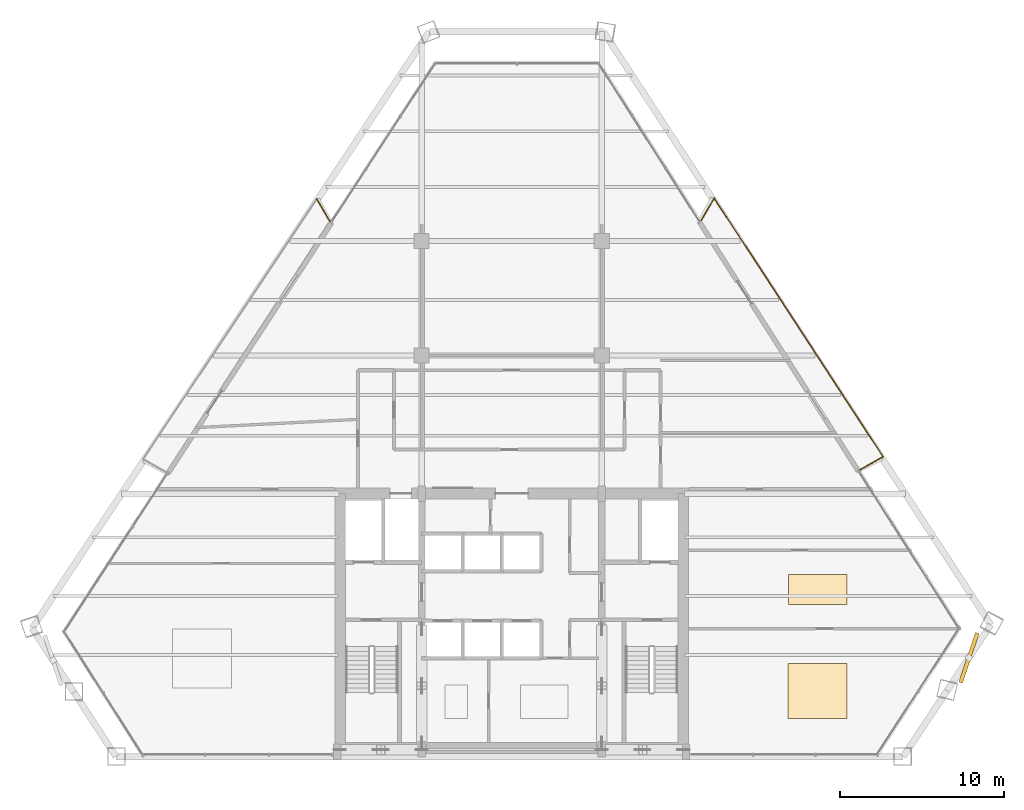
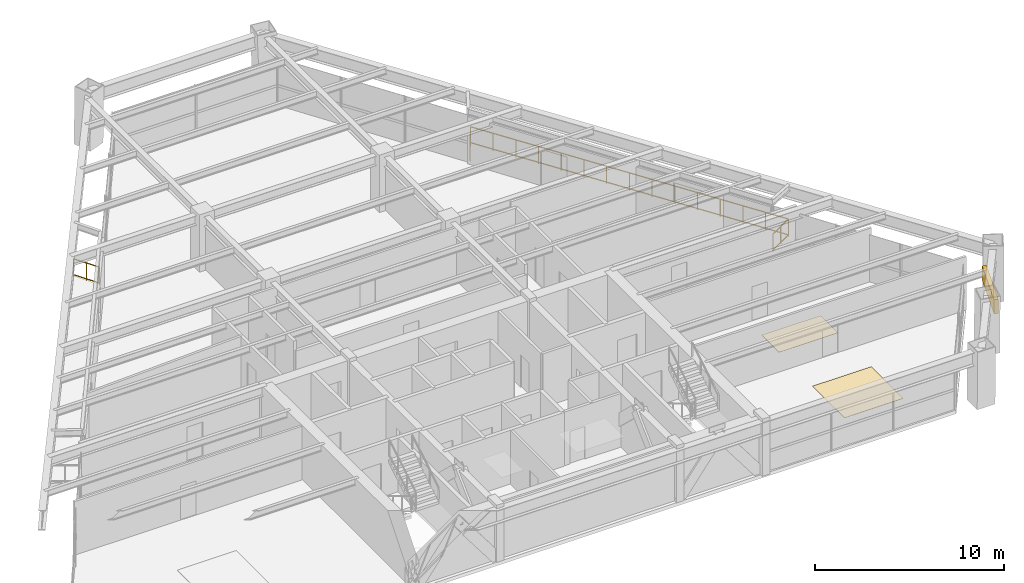
# One storey, part 15 of 15: 4 railings, 2 coverings, 1 shading device.
"""IFC4 building model written with IfcOpenShell, lengths in metres."""

from ifc_helpers import new_model, si_unit, direction, frame, origin, origin_2d, place, context, subcontext, project, spatial, rectangle, extrude, source, transform, mapped, material, layer, layer_set, type_object, type_shapes, element, save


model = new_model("IFC4")

# Units and contexts
model_context = context("Model", 3, precision=1e-05, world=origin(), true_north=direction((0.0, 1.0)))
body_context = subcontext(model_context, "Body", "Model", "MODEL_VIEW")
ifc_project = project(units=[si_unit("LENGTHUNIT", "METRE"), si_unit("AREAUNIT", "SQUARE_METRE"), si_unit("VOLUMEUNIT", "CUBIC_METRE"), si_unit("PLANEANGLEUNIT", "RADIAN"), si_unit("MASSUNIT", "GRAM", prefix="KILO")], contexts=[model_context])

# Site, building, storey
site_placement = place(None, origin())
site = spatial("IfcSite", under=ifc_project, at=site_placement, CompositionType="ELEMENT")
building_placement = place(site_placement, origin())
building = spatial("IfcBuilding", under=site, at=building_placement, Name="Varnakhor Terracotta Tower", CompositionType="ELEMENT")
storey_placement = place(building_placement, frame((0.0, 0.0, 136.699951171875)))
storey = spatial("IfcBuildingStorey", under=building, at=storey_placement, Name="L34", CompositionType="ELEMENT", Elevation=136.699951171875)

# Railings
ifc_material_1 = material(Name="Stainless Steel & Laminated Glass Guardrail", Category="steel")
railing_type = type_object("IfcRailingType", Name="RLG-LOGGIA-GUARD-1150", PredefinedType="GUARDRAIL", material=ifc_material_1)
railing_1_placement = place(storey_placement, frame((11.57421875, 32.75634765625, 0.0)))
element("IfcRailing", 1, at=railing_1_placement, inside=storey, type_object=railing_type, Name="L34 E Loggia Glass Guard 1", PredefinedType="GUARDRAIL", context=body_context, shape_type="SweptSolid", body=[
    extrude(rectangle(XDim=0.048095703125, YDim=0.048095703125, at=origin_2d()), frame((0.0, 0.0, 1.1259765625), z_axis=(0.508818647646, 0.86087373279, 0.0), x_axis=(-0.86087373279, 0.508818647646, 0.0)), (0.0, 0.0, 1.0), 1.565185546875),
    extrude(rectangle(XDim=0.048095703125, YDim=0.048095703125, at=origin_2d()), frame((0.0, 0.0, 0.10009765625), z_axis=(0.508818647646, 0.86087373279, 0.0), x_axis=(-0.86087373279, 0.508818647646, 0.0)), (0.0, 0.0, 1.0), 1.565185546875),
    extrude(rectangle(XDim=0.0419921875, YDim=0.0419921875, at=origin_2d()), origin(), (0.0, 0.0, 1.0), 1.101806640625),
    extrude(rectangle(XDim=0.0419921875, YDim=0.0419921875, at=origin_2d()), frame((0.398193359375, 0.673828125, 0.0)), (0.0, 0.0, 1.0), 1.101806640625),
    extrude(rectangle(XDim=0.0419921875, YDim=0.0419921875, at=origin_2d()), frame((0.79638671875, 1.347412109375, 0.0)), (0.0, 0.0, 1.0), 1.101806640625),
])
railing_2_placement = place(storey_placement, frame((12.37060546875, 34.103759765625, 0.0)))
element("IfcRailing", 2, at=railing_2_placement, inside=storey, type_object=railing_type, Name="L34 E Loggia Glass Guard 2", PredefinedType="GUARDRAIL", context=body_context, shape_type="SweptSolid", body=[
    extrude(rectangle(XDim=0.048095703125, YDim=0.048095703125, at=origin_2d()), frame((0.0, 0.0, 1.1259765625), z_axis=(0.547022978677, -0.837117590784, 0.0), x_axis=(0.837117590784, 0.547022978677, 0.0)), (0.0, 0.0, 1.0), 18.859130859375),
    extrude(rectangle(XDim=0.048095703125, YDim=0.048095703125, at=origin_2d()), frame((0.0, 0.0, 0.10009765625), z_axis=(0.547022978677, -0.837117590784, 0.0), x_axis=(0.837117590784, 0.547022978677, 0.0)), (0.0, 0.0, 1.0), 18.859130859375),
    extrude(rectangle(XDim=0.0419921875, YDim=0.0419921875, at=origin_2d()), origin(), (0.0, 0.0, 1.0), 1.101806640625),
    extrude(rectangle(XDim=0.0419921875, YDim=0.0419921875, at=origin_2d()), frame((0.73681640625, -1.127685546875, 0.0)), (0.0, 0.0, 1.0), 1.101806640625),
    extrude(rectangle(XDim=0.0419921875, YDim=0.0419921875, at=origin_2d()), frame((1.473876953125, -2.25537109375, 0.0)), (0.0, 0.0, 1.0), 1.101806640625),
    extrude(rectangle(XDim=0.0419921875, YDim=0.0419921875, at=origin_2d()), frame((2.210693359375, -3.383056640625, 0.0)), (0.0, 0.0, 1.0), 1.101806640625),
    extrude(rectangle(XDim=0.0419921875, YDim=0.0419921875, at=origin_2d()), frame((2.947509765625, -4.5107421875, 0.0)), (0.0, 0.0, 1.0), 1.101806640625),
    extrude(rectangle(XDim=0.0419921875, YDim=0.0419921875, at=origin_2d()), frame((3.684326171875, -5.638427734375, 0.0)), (0.0, 0.0, 1.0), 1.101806640625),
    extrude(rectangle(XDim=0.0419921875, YDim=0.0419921875, at=origin_2d()), frame((4.42138671875, -6.76611328125, 0.0)), (0.0, 0.0, 1.0), 1.101806640625),
    extrude(rectangle(XDim=0.0419921875, YDim=0.0419921875, at=origin_2d()), frame((5.158203125, -7.8935546875, 0.0)), (0.0, 0.0, 1.0), 1.101806640625),
    extrude(rectangle(XDim=0.0419921875, YDim=0.0419921875, at=origin_2d()), frame((5.89501953125, -9.021240234375, 0.0)), (0.0, 0.0, 1.0), 1.101806640625),
    extrude(rectangle(XDim=0.0419921875, YDim=0.0419921875, at=origin_2d()), frame((6.632080078125, -10.14892578125, 0.0)), (0.0, 0.0, 1.0), 1.101806640625),
    extrude(rectangle(XDim=0.0419921875, YDim=0.0419921875, at=origin_2d()), frame((7.368896484375, -11.276611328125, 0.0)), (0.0, 0.0, 1.0), 1.101806640625),
    extrude(rectangle(XDim=0.0419921875, YDim=0.0419921875, at=origin_2d()), frame((8.105712890625, -12.404296875, 0.0)), (0.0, 0.0, 1.0), 1.101806640625),
    extrude(rectangle(XDim=0.0419921875, YDim=0.0419921875, at=origin_2d()), frame((8.842529296875, -13.531982421875, 0.0)), (0.0, 0.0, 1.0), 1.101806640625),
    extrude(rectangle(XDim=0.0419921875, YDim=0.0419921875, at=origin_2d()), frame((9.57958984375, -14.65966796875, 0.0)), (0.0, 0.0, 1.0), 1.101806640625),
    extrude(rectangle(XDim=0.0419921875, YDim=0.0419921875, at=origin_2d()), frame((10.31640625, -15.787353515625, 0.0)), (0.0, 0.0, 1.0), 1.101806640625),
])
railing_3_placement = place(storey_placement, frame((22.68701171875, 18.31640625, 0.0)))
element("IfcRailing", 3, at=railing_3_placement, inside=storey, type_object=railing_type, Name="L34 E Loggia Glass Guard 3", PredefinedType="GUARDRAIL", context=body_context, shape_type="SweptSolid", body=[
    extrude(rectangle(XDim=0.048095703125, YDim=0.048095703125, at=origin_2d()), frame((0.0, 0.0, 1.1259765625), z_axis=(-0.868849760493, -0.495075846403, 0.0), x_axis=(0.495075846403, -0.868849760493, 0.0)), (0.0, 0.0, 1.0), 1.608154296875),
    extrude(rectangle(XDim=0.048095703125, YDim=0.048095703125, at=origin_2d()), frame((0.0, 0.0, 0.10009765625), z_axis=(-0.868849760493, -0.495075846403, 0.0), x_axis=(0.495075846403, -0.868849760493, 0.0)), (0.0, 0.0, 1.0), 1.608154296875),
    extrude(rectangle(XDim=0.0419921875, YDim=0.0419921875, at=origin_2d()), origin(), (0.0, 0.0, 1.0), 1.101806640625),
    extrude(rectangle(XDim=0.0419921875, YDim=0.0419921875, at=origin_2d()), frame((-0.69873046875, -0.39794921875, 0.0)), (0.0, 0.0, 1.0), 1.101806640625),
    extrude(rectangle(XDim=0.0419921875, YDim=0.0419921875, at=origin_2d()), frame((-1.397216796875, -0.796142578125, 0.0)), (0.0, 0.0, 1.0), 1.101806640625),
])
railing_4_placement = place(storey_placement, frame((-11.909912109375, 34.048828125, 0.0)))
element("IfcRailing", 4, at=railing_4_placement, inside=storey, type_object=railing_type, Name="L34 W Loggia Glass Guard 3", PredefinedType="GUARDRAIL", context=body_context, shape_type="SweptSolid", body=[
    extrude(rectangle(XDim=0.048095703125, YDim=0.048095703125, at=origin_2d()), frame((0.0, 0.0, 1.1259765625), z_axis=(0.510751397217, -0.859728451455, 0.0), x_axis=(0.859728451455, 0.510751397217, 0.0)), (0.0, 0.0, 1.0), 1.56494140625),
    extrude(rectangle(XDim=0.048095703125, YDim=0.048095703125, at=origin_2d()), frame((0.0, 0.0, 0.10009765625), z_axis=(0.510751397217, -0.859728451455, 0.0), x_axis=(0.859728451455, 0.510751397217, 0.0)), (0.0, 0.0, 1.0), 1.56494140625),
    extrude(rectangle(XDim=0.0419921875, YDim=0.0419921875, at=origin_2d()), origin(), (0.0, 0.0, 1.0), 1.101806640625),
    extrude(rectangle(XDim=0.0419921875, YDim=0.0419921875, at=origin_2d()), frame((0.399658203125, -0.6728515625, 0.0)), (0.0, 0.0, 1.0), 1.101806640625),
    extrude(rectangle(XDim=0.0419921875, YDim=0.0419921875, at=origin_2d()), frame((0.79931640625, -1.345458984375, 0.0)), (0.0, 0.0, 1.0), 1.101806640625),
])

# Shading device
ifc_material_2 = material(Name="Extruded Architectural Terracotta Screen", Category="masonry")
shading_device_type = type_object("IfcShadingDeviceType", Name="TERRACOTTA SOLAR SCREEN E", PredefinedType="USERDEFINED", material=ifc_material_2)
shared_shape_1 = source(origin(), body_context, "Body", "SweptSolid", [
    extrude(rectangle(XDim=3.199951171875, YDim=0.239990234375, at=origin_2d()), origin(), (0.0, 0.0, 1.0), 0.919921875),
])
type_shapes(shading_device_type, [shared_shape_1])
shading_device_placement = place(storey_placement, frame((27.931396484375, 6.0341796875, 1.710205078125), z_axis=(0.0, 0.0, 1.0), x_axis=(0.319968170778, 0.947428292637, 0.0)))
element("IfcShadingDevice", 5, at=shading_device_placement, inside=storey, type_object=shading_device_type, Name="L34 E Terracotta Solar Screen", ObjectType="SCREEN", PredefinedType="USERDEFINED", context=body_context, shape_type="MappedRepresentation", body=[
    mapped(shared_shape_1, transform((0.0, 0.0, 0.0), scale=1.0)),
])

# Coverings
ifc_material_3 = material(Name="Honed Riyadh Limestone Flooring", Category="masonry")
ifc_layer = layer(ifc_material_3, 0.030029296875, Name="Honed Riyadh Limestone Flooring")
ifc_layer_set = layer_set([ifc_layer], Name="Honed Riyadh Limestone Flooring")
covering_type = type_object("IfcCoveringType", Name="COV-FLOOR-LIMESTONE", PredefinedType="FLOORING", material=ifc_layer_set)
shared_shape_2 = source(origin(), body_context, "Body", "SweptSolid", [
    extrude(rectangle(XDim=3.60009765625, YDim=3.37890625, at=origin_2d()), origin(), (0.0, 0.0, 1.0), 0.02001953125),
])
covering_1_placement = place(storey_placement, frame((18.6708984375, 4.001953125, 0.0), z_axis=(0.0, 0.0, 1.0), x_axis=(1.0, 0.0, 0.0)))
element("IfcCovering", 6, at=covering_1_placement, inside=storey, type_object=covering_type, Name="L34 Honed Stone Flooring 3", PredefinedType="FLOORING", context=body_context, shape_type="MappedRepresentation", body=[
    mapped(shared_shape_2, transform((0.0, 0.0, 0.0), scale=1.0)),
])
shared_shape_3 = source(origin(), body_context, "Body", "SweptSolid", [
    extrude(rectangle(XDim=3.60009765625, YDim=1.841064453125, at=origin_2d()), origin(), (0.0, 0.0, 1.0), 0.02001953125),
])
covering_2_placement = place(storey_placement, frame((18.696044921875, 10.199951171875, 0.0), z_axis=(0.0, 0.0, 1.0), x_axis=(1.0, 0.0, 0.0)))
element("IfcCovering", 7, at=covering_2_placement, inside=storey, type_object=covering_type, Name="L34 Honed Stone Flooring 5", PredefinedType="FLOORING", context=body_context, shape_type="MappedRepresentation", body=[
    mapped(shared_shape_3, transform((0.0, 0.0, 0.0), scale=1.0)),
])

save(model, "model.ifc")
